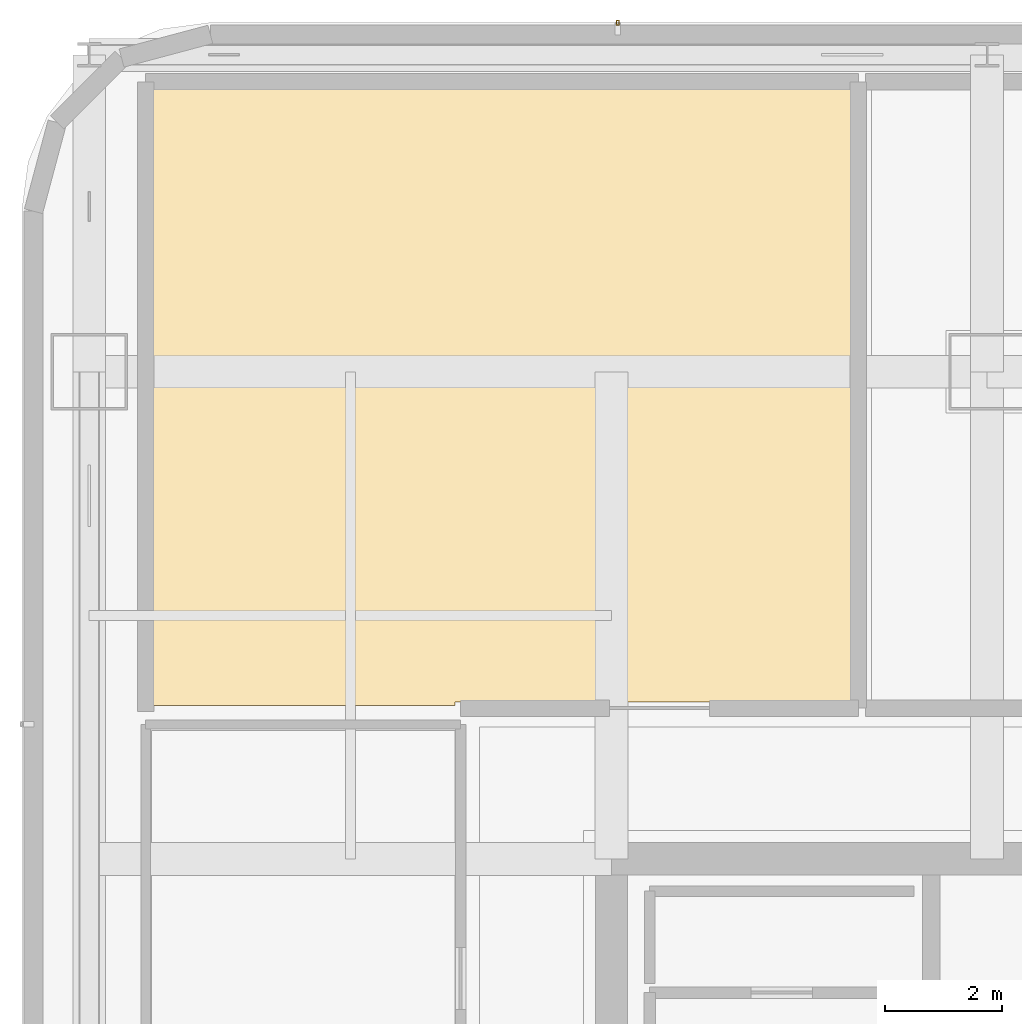
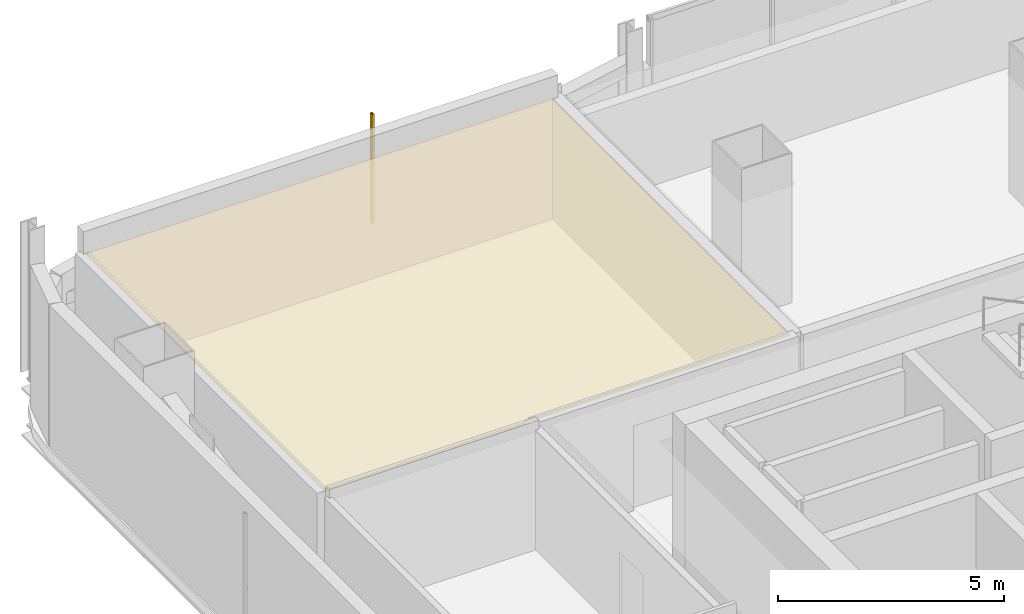
# One storey, part 28 of 30: 1 covering, 1 shading device.
"""IFC4 building model written with IfcOpenShell, lengths in metres."""

from ifc_helpers import new_model, si_unit, direction, frame, origin, origin_2d, place, context, subcontext, project, spatial, polyline, hollow_rectangle, outline, extrude, material, layer, layer_set, material_profile, profile_set, type_object, element, save


model = new_model("IFC4")

# Units and contexts
model_context = context("Model", 3, precision=1e-05, world=origin(), true_north=direction((0.0, 1.0)))
body_context = subcontext(model_context, "Body", "Model", "MODEL_VIEW")
ifc_project = project(units=[si_unit("LENGTHUNIT", "METRE"), si_unit("AREAUNIT", "SQUARE_METRE"), si_unit("VOLUMEUNIT", "CUBIC_METRE"), si_unit("PLANEANGLEUNIT", "RADIAN"), si_unit("MASSUNIT", "GRAM", prefix="KILO")], contexts=[model_context])

# Site, building, storey
site_placement = place(None, origin())
site = spatial("IfcSite", under=ifc_project, at=site_placement, CompositionType="ELEMENT")
building_placement = place(site_placement, origin())
building = spatial("IfcBuilding", under=site, at=building_placement, Name="Punatoya Terracotta Tower", CompositionType="ELEMENT")
storey_placement = place(building_placement, frame((0.0, 0.0, 251.39990234375)))
storey = spatial("IfcBuildingStorey", under=building, at=storey_placement, Name="L59", CompositionType="ELEMENT", Elevation=251.39990234375)

# Covering
ifc_material_1 = material(Name="Acoustic Mineral Fibre Ceiling")
ifc_layer = layer(ifc_material_1, 0.06005859375)
ifc_layer_set = layer_set([ifc_layer], Name="Acoustic Mineral Fibre Ceiling")
covering_type = type_object("IfcCoveringType", Name="COV-CEIL-60", PredefinedType="CEILING", material=ifc_layer_set)
covering_placement = place(storey_placement, frame((0.0, 0.0, 3.16015625)))
element("IfcCovering", 1, at=covering_placement, inside=storey, type_object=covering_type, Name="L59 Terrace Refreshment Lounge Acoustic Ceiling", PredefinedType="CEILING", context=body_context, shape_type="SweptSolid", body=[
    extrude(outline(polyline([(-12.8701171875, 11.81005859375), (-12.8701171875, 11.8701171875), (-6.093994140625, 11.8701171875), (-6.093994140625, 22.340087890625), (-18.0400390625, 22.340087890625), (-18.0400390625, 11.81005859375), (-12.8701171875, 11.81005859375)])), origin(), (0.0, 0.0, 1.0), 0.06005859375),
])

# Shading device
ifc_material_2 = material(Name="Architectural Fired Terracotta", Category="masonry")
ifc_material_profile = material_profile(ifc_material_2, hollow_rectangle(XDim=0.06005859375, YDim=0.090087890625, WallThickness=0.013916015625, at=origin_2d()))
ifc_profile_set = profile_set([ifc_material_profile], Name="Architectural Fired Terracotta")
shading_device_type = type_object("IfcShadingDeviceType", Name="SHD-JALI-90", PredefinedType="JALOUSIE", material=ifc_profile_set)
shading_device_placement = place(storey_placement, frame((-10.093505859375, 23.449951171875, 0.60009765625), z_axis=(0.0, 0.0, 1.0), x_axis=(1.0, 0.0, 0.0)))
element("IfcShadingDevice", 2, at=shading_device_placement, inside=storey, type_object=shading_device_type, Name="L59 Braced Bay Terracotta Jali Fin N2", PredefinedType="JALOUSIE", context=body_context, shape_type="SweptSolid", body=[
    extrude(hollow_rectangle(XDim=0.06005859375, YDim=0.090087890625, WallThickness=0.013916015625, at=origin_2d()), origin(), (0.0, 0.0, 1.0), 2.949951171875),
])

save(model, "model.ifc")
